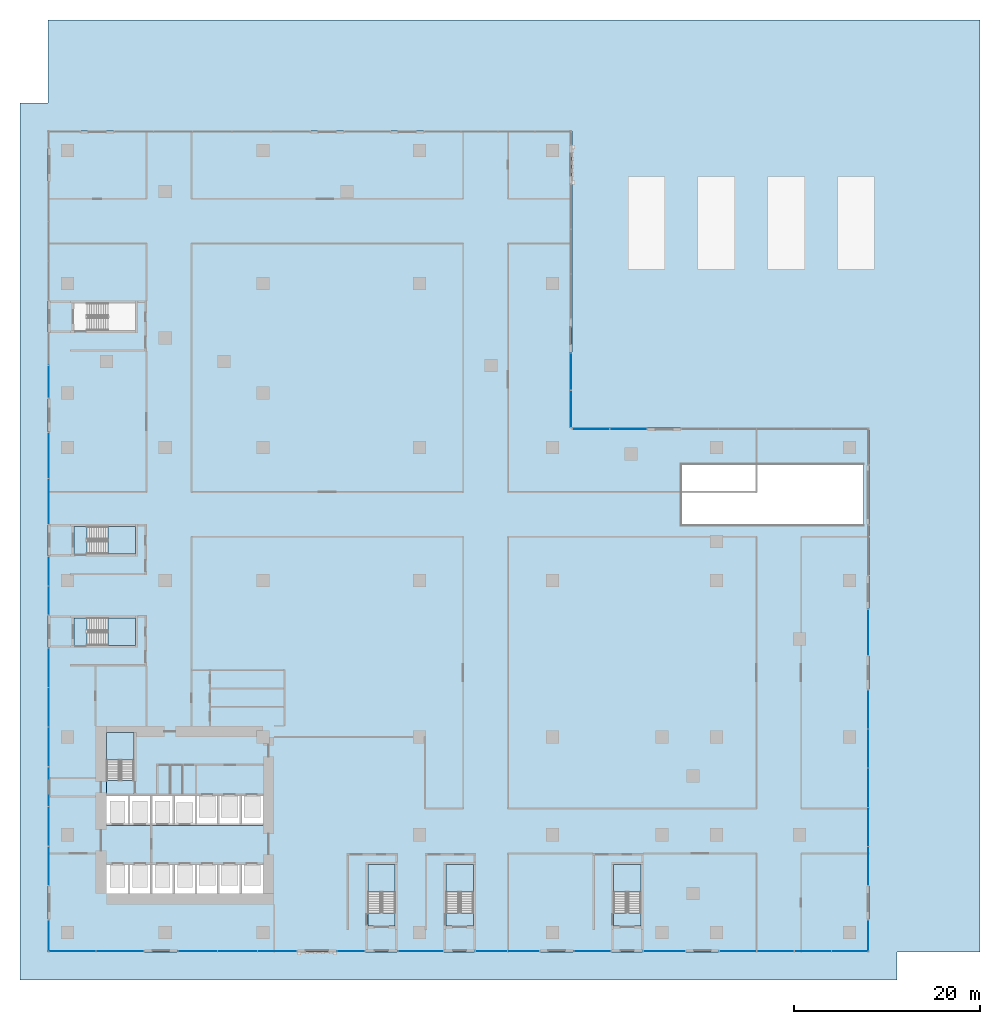
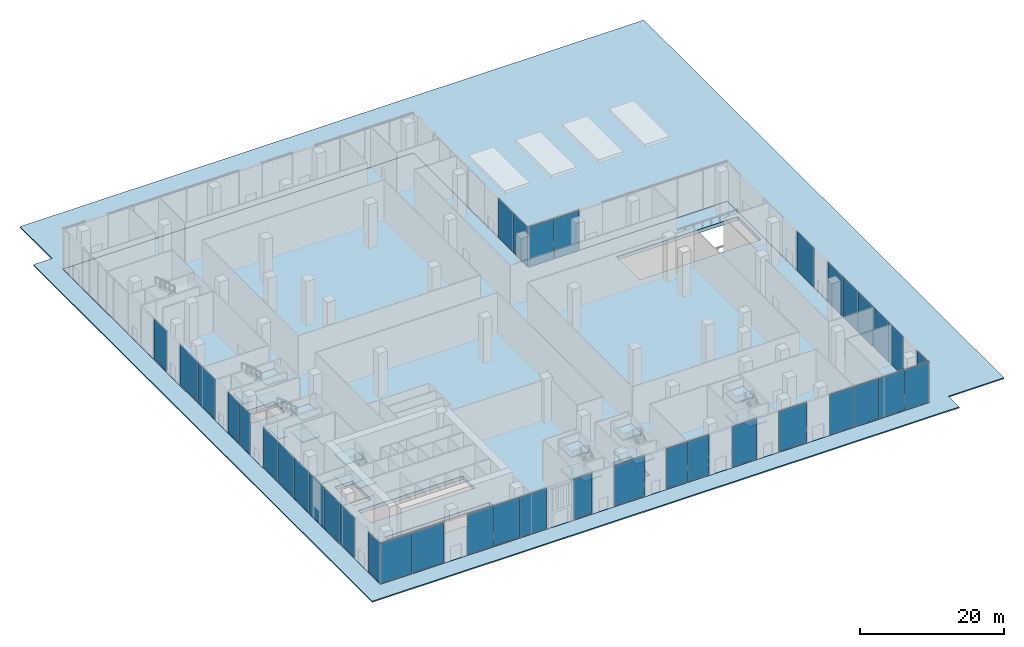
# One storey, part 11 of 26: 38 plates, 20 slabs, 24 elements without a shape of their own.
"""IFC4 building model written with IfcOpenShell, lengths in metres."""

from ifc_helpers import new_model, si_unit, direction, frame, origin, origin_2d, place, context, subcontext, project, spatial, polyline, rectangle, outline, extrude, source, transform, mapped, material, layer, layer_set, type_object, element, aggregate, save


model = new_model("IFC4")

# Units and contexts
model_context = context("Model", 3, precision=1e-05, world=origin(), true_north=direction((0.0, 1.0)))
body_context = subcontext(model_context, "Body", "Model", "MODEL_VIEW")
ifc_project = project(units=[si_unit("LENGTHUNIT", "METRE"), si_unit("AREAUNIT", "SQUARE_METRE"), si_unit("VOLUMEUNIT", "CUBIC_METRE"), si_unit("PLANEANGLEUNIT", "RADIAN"), si_unit("MASSUNIT", "GRAM", prefix="KILO")], contexts=[model_context])

# Site, building, storey
site_placement = place(None, origin())
site = spatial("IfcSite", under=ifc_project, at=site_placement, CompositionType="ELEMENT")
building_placement = place(site_placement, origin())
building = spatial("IfcBuilding", under=site, at=building_placement, Name="Aurelian Terraces", CompositionType="ELEMENT")
storey_placement = place(building_placement, origin())
storey = spatial("IfcBuildingStorey", under=building, at=storey_placement, Name="L00", CompositionType="ELEMENT", Elevation=0.0)

# Slabs
ifc_material_1 = material(Name="Concrete fc' 40 MPa", Category="concrete")
ifc_layer_1 = layer(ifc_material_1, 0.6)
ifc_layer_set_1 = layer_set([ifc_layer_1], Name="PT FLAT PLATE 600")
slab_type_1 = type_object("IfcSlabType", Name="PT FLAT PLATE 600", PredefinedType="FLOOR", material=ifc_layer_set_1)
slab_1_placement = place(storey_placement, frame((0.0, 0.0, -0.6)))
element("IfcSlab", 1, at=slab_1_placement, inside=storey, type_object=slab_type_1, Name="Floor slab P L00", PredefinedType="FLOOR", context=body_context, shape_type="SweptSolid", body=[
    extrude(outline(polyline([(86.1, -2.1), (54.18, -2.1), (-2.1, -2.1), (-2.1, 54.18), (-2.1, 86.1), (54.18, 86.1), (54.18, 54.18), (86.1, 54.18), (86.1, -2.1)]), holes=[polyline([(85.4895, 50.19), (66.01, 50.19), (66.01, 43.81), (85.4895, 43.81), (85.4895, 50.19)]), polyline([(40.66, 2.11), (43.59, 2.11), (43.59, 7.29), (40.66, 7.29), (40.66, 2.11)]), polyline([(4.21, 7.49), (4.21, 4.21), (20.99, 4.21), (20.99, 7.49), (4.21, 7.49)]), polyline([(4.21, 14.89), (4.21, 11.51), (20.99, 11.51), (20.99, 14.89), (4.21, 14.89)]), polyline([(7.29, 43.59), (2.11, 43.59), (2.11, 40.66), (7.29, 40.66), (7.29, 43.59)]), polyline([(4.21, 16.31), (7.14, 16.31), (7.14, 21.49), (4.21, 21.49), (4.21, 16.31)])]), origin(), (0.0, 0.0, 1.0), 0.6),
])
ifc_material_2 = material(Name="Granite paving", Category="masonry")
ifc_layer_2 = layer(ifc_material_2, 0.2)
ifc_layer_set_2 = layer_set([ifc_layer_2], Name="Paving 200")
slab_type_2 = type_object("IfcSlabType", Name="Paving 200", PredefinedType="NOTDEFINED", material=ifc_layer_set_2)
slab_2_placement = place(storey_placement, frame((0.0, 0.0, -0.2)))
element("IfcSlab", 2, at=slab_2_placement, inside=storey, type_object=slab_type_2, Name="Public garden plaza paving", PredefinedType="NOTDEFINED", context=body_context, shape_type="SweptSolid", body=[
    extrude(outline(polyline([(-5.1, 89.1), (-2.1, 89.1), (-2.1, 98.0), (98.0, 98.0), (98.0, -2.1), (89.1, -2.1), (89.1, -5.1), (-5.1, -5.1), (-5.1, 89.1)]), holes=[polyline([(54.18, 86.1), (-2.1, 86.1), (-2.1, 54.18), (-2.1, -2.1), (54.18, -2.1), (86.1, -2.1), (86.1, 54.18), (54.18, 54.18), (54.18, 86.1)])]), origin(), (0.0, 0.0, 1.0), 0.2),
])

# Curtain wall, plate
ifc_material_3 = material(Name="Anodised aluminium and clear glazing", Category="aluminium")
ifc_layer_3 = layer(ifc_material_3, 0.2)
ifc_layer_set_3 = layer_set([ifc_layer_3], Name="Podium shopfront curtain wall")
curtain_wall_type = type_object("IfcCurtainWallType", Name="Podium shopfront curtain wall", PredefinedType="NOTDEFINED", material=ifc_layer_set_3)
curtain_wall_1_placement = place(storey_placement, origin())
curtain_wall_1 = element("IfcCurtainWall", 3, at=curtain_wall_1_placement, inside=storey, type_object=curtain_wall_type, Name="Podium shopfront L00 F01.1", PredefinedType="NOTDEFINED")
ifc_material_4 = material(Name="Clear glazing", Category="glass")
ifc_layer_4 = layer(ifc_material_4, 0.028)
ifc_layer_set_4 = layer_set([ifc_layer_4], Name="Podium shopfront glazing panel")
plate_type = type_object("IfcPlateType", Name="Podium shopfront glazing panel", PredefinedType="CURTAIN_PANEL", material=ifc_layer_set_4)
plate_1_placement = place(storey_placement, frame((0.5025, -2.0, 0.06), z_axis=(0.0, 0.0, 1.0), x_axis=(1.0, 0.0, 0.0)))
plate_1 = element("IfcPlate", 4, at=plate_1_placement, type_object=plate_type, Name="CW1 panel 1.1", PredefinedType="CURTAIN_PANEL", context=body_context, shape_type="SweptSolid", body=[
    extrude(rectangle(XDim=5.085, YDim=0.028, at=origin_2d()), origin(), (0.0, 0.0, 1.0), 6.78),
])

# Curtain wall, plates
curtain_wall_2_placement = place(storey_placement, origin())
curtain_wall_2 = element("IfcCurtainWall", 5, at=curtain_wall_2_placement, inside=storey, type_object=curtain_wall_type, Name="Podium shopfront L00 F01.3", PredefinedType="NOTDEFINED")
plate_2_placement = place(storey_placement, frame((14.0067, -2.0, 0.06), z_axis=(0.0, 0.0, 1.0), x_axis=(1.0, 0.0, 0.0)))
plate_2 = element("IfcPlate", 6, at=plate_2_placement, type_object=plate_type, Name="CW1 panel 1.1", PredefinedType="CURTAIN_PANEL", context=body_context, shape_type="SweptSolid", body=[
    extrude(rectangle(XDim=4.1933, YDim=0.028, at=origin_2d()), origin(), (0.0, 0.0, 1.0), 6.78),
])
plate_3_placement = place(storey_placement, frame((18.275, -2.0, 0.06), z_axis=(0.0, 0.0, 1.0), x_axis=(1.0, 0.0, 0.0)))
plate_3 = element("IfcPlate", 7, at=plate_3_placement, type_object=plate_type, Name="CW1 panel 2.1", PredefinedType="CURTAIN_PANEL", context=body_context, shape_type="SweptSolid", body=[
    extrude(rectangle(XDim=4.2233, YDim=0.028, at=origin_2d()), origin(), (0.0, 0.0, 1.0), 6.78),
])

# Curtain wall, plate
curtain_wall_3_placement = place(storey_placement, origin())
curtain_wall_3 = element("IfcCurtainWall", 8, at=curtain_wall_3_placement, inside=storey, type_object=curtain_wall_type, Name="Podium shopfront L00 F01.5", PredefinedType="NOTDEFINED")
plate_4_placement = place(storey_placement, frame((30.45, -2.0, 0.06), z_axis=(0.0, 0.0, 1.0), x_axis=(1.0, 0.0, 0.0)))
plate_4 = element("IfcPlate", 9, at=plate_4_placement, type_object=plate_type, Name="CW1 panel 1.1", PredefinedType="CURTAIN_PANEL", context=body_context, shape_type="SweptSolid", body=[
    extrude(rectangle(XDim=2.98, YDim=0.028, at=origin_2d()), origin(), (0.0, 0.0, 1.0), 6.78),
])
aggregate(curtain_wall_3, [plate_4])

curtain_wall_4_placement = place(storey_placement, origin())
curtain_wall_4 = element("IfcCurtainWall", 10, at=curtain_wall_4_placement, inside=storey, type_object=curtain_wall_type, Name="Podium shopfront L00 F01.6", PredefinedType="NOTDEFINED")
plate_5_placement = place(storey_placement, frame((37.925, -2.0, 0.06), z_axis=(0.0, 0.0, 1.0), x_axis=(1.0, 0.0, 0.0)))
plate_5 = element("IfcPlate", 11, at=plate_5_placement, type_object=plate_type, Name="CW1 panel 1.1", PredefinedType="CURTAIN_PANEL", context=body_context, shape_type="SweptSolid", body=[
    extrude(rectangle(XDim=4.83, YDim=0.028, at=origin_2d()), origin(), (0.0, 0.0, 1.0), 6.78),
])
aggregate(curtain_wall_4, [plate_5])

curtain_wall_5_placement = place(storey_placement, origin())
curtain_wall_5 = element("IfcCurtainWall", 12, at=curtain_wall_5_placement, inside=storey, type_object=curtain_wall_type, Name="Podium shopfront L00 F01.7", PredefinedType="NOTDEFINED")
plate_6_placement = place(storey_placement, frame((45.5525, -2.0, 0.06), z_axis=(0.0, 0.0, 1.0), x_axis=(1.0, 0.0, 0.0)))
plate_6 = element("IfcPlate", 13, at=plate_6_placement, type_object=plate_type, Name="CW1 panel 1.1", PredefinedType="CURTAIN_PANEL", context=body_context, shape_type="SweptSolid", body=[
    extrude(rectangle(XDim=3.385, YDim=0.028, at=origin_2d()), origin(), (0.0, 0.0, 1.0), 6.78),
])

curtain_wall_6_placement = place(storey_placement, origin())
curtain_wall_6 = element("IfcCurtainWall", 14, at=curtain_wall_6_placement, inside=storey, type_object=curtain_wall_type, Name="Podium shopfront L00 F01.9", PredefinedType="NOTDEFINED")
plate_7_placement = place(storey_placement, frame((56.375, -2.0, 0.06), z_axis=(0.0, 0.0, 1.0), x_axis=(1.0, 0.0, 0.0)))
plate_7 = element("IfcPlate", 15, at=plate_7_placement, type_object=plate_type, Name="CW1 panel 1.1", PredefinedType="CURTAIN_PANEL", context=body_context, shape_type="SweptSolid", body=[
    extrude(rectangle(XDim=3.93, YDim=0.028, at=origin_2d()), origin(), (0.0, 0.0, 1.0), 6.78),
])
aggregate(curtain_wall_6, [plate_7])

curtain_wall_7_placement = place(storey_placement, origin())
curtain_wall_7 = element("IfcCurtainWall", 16, at=curtain_wall_7_placement, inside=storey, type_object=curtain_wall_type, Name="Podium shopfront L00 F01.10", PredefinedType="NOTDEFINED")
plate_8_placement = place(storey_placement, frame((64.125, -2.0, 0.06), z_axis=(0.0, 0.0, 1.0), x_axis=(1.0, 0.0, 0.0)))
plate_8 = element("IfcPlate", 17, at=plate_8_placement, type_object=plate_type, Name="CW1 panel 1.1", PredefinedType="CURTAIN_PANEL", context=body_context, shape_type="SweptSolid", body=[
    extrude(rectangle(XDim=4.43, YDim=0.028, at=origin_2d()), origin(), (0.0, 0.0, 1.0), 6.78),
])
aggregate(curtain_wall_7, [plate_8])

# Curtain wall, plates
curtain_wall_8_placement = place(storey_placement, origin())
curtain_wall_8 = element("IfcCurtainWall", 18, at=curtain_wall_8_placement, inside=storey, type_object=curtain_wall_type, Name="Podium shopfront L00 F01.12", PredefinedType="NOTDEFINED")
plate_9_placement = place(storey_placement, frame((72.0275, -2.0, 0.06), z_axis=(0.0, 0.0, 1.0), x_axis=(1.0, 0.0, 0.0)))
plate_9 = element("IfcPlate", 19, at=plate_9_placement, type_object=plate_type, Name="CW1 panel 1.1", PredefinedType="CURTAIN_PANEL", context=body_context, shape_type="SweptSolid", body=[
    extrude(rectangle(XDim=3.935, YDim=0.028, at=origin_2d()), origin(), (0.0, 0.0, 1.0), 6.78),
])
plate_10_placement = place(storey_placement, frame((76.0375, -2.0, 0.06), z_axis=(0.0, 0.0, 1.0), x_axis=(1.0, 0.0, 0.0)))
plate_10 = element("IfcPlate", 20, at=plate_10_placement, type_object=plate_type, Name="CW1 panel 2.1", PredefinedType="CURTAIN_PANEL", context=body_context, shape_type="SweptSolid", body=[
    extrude(rectangle(XDim=3.965, YDim=0.028, at=origin_2d()), origin(), (0.0, 0.0, 1.0), 6.78),
])

# Curtain wall, plate
curtain_wall_9_placement = place(storey_placement, origin())
curtain_wall_9 = element("IfcCurtainWall", 21, at=curtain_wall_9_placement, inside=storey, type_object=curtain_wall_type, Name="Podium shopfront L00 F02.1", PredefinedType="NOTDEFINED")
plate_11_placement = place(storey_placement, frame((86.0, -0.35, 0.06), z_axis=(0.0, 0.0, 1.0), x_axis=(0.0, 1.0, 0.0)))
plate_11 = element("IfcPlate", 22, at=plate_11_placement, type_object=plate_type, Name="CW1 panel 1.1", PredefinedType="CURTAIN_PANEL", context=body_context, shape_type="SweptSolid", body=[
    extrude(rectangle(XDim=3.38, YDim=0.028, at=origin_2d()), origin(), (0.0, 0.0, 1.0), 6.78),
])
aggregate(curtain_wall_9, [plate_11])

# Curtain wall, plates
curtain_wall_10_placement = place(storey_placement, origin())
curtain_wall_10 = element("IfcCurtainWall", 23, at=curtain_wall_10_placement, inside=storey, type_object=curtain_wall_type, Name="Podium shopfront L00 F02.3", PredefinedType="NOTDEFINED")
plate_12_placement = place(storey_placement, frame((86.0, 7.125, 0.06), z_axis=(0.0, 0.0, 1.0), x_axis=(0.0, 1.0, 0.0)))
plate_12 = element("IfcPlate", 24, at=plate_12_placement, type_object=plate_type, Name="CW1 panel 1.1", PredefinedType="CURTAIN_PANEL", context=body_context, shape_type="SweptSolid", body=[
    extrude(rectangle(XDim=4.13, YDim=0.028, at=origin_2d()), origin(), (0.0, 0.0, 1.0), 6.78),
])
plate_13_placement = place(storey_placement, frame((86.0, 11.33, 0.06), z_axis=(0.0, 0.0, 1.0), x_axis=(0.0, 1.0, 0.0)))
plate_13 = element("IfcPlate", 25, at=plate_13_placement, type_object=plate_type, Name="CW1 panel 2.1", PredefinedType="CURTAIN_PANEL", context=body_context, shape_type="SweptSolid", body=[
    extrude(rectangle(XDim=4.16, YDim=0.028, at=origin_2d()), origin(), (0.0, 0.0, 1.0), 6.78),
])

# Curtain wall, plate
curtain_wall_11_placement = place(storey_placement, origin())
curtain_wall_11 = element("IfcCurtainWall", 26, at=curtain_wall_11_placement, inside=storey, type_object=curtain_wall_type, Name="Podium shopfront L00 F02.5", PredefinedType="NOTDEFINED")
plate_14_placement = place(storey_placement, frame((86.0, 32.2, 0.06), z_axis=(0.0, 0.0, 1.0), x_axis=(0.0, 1.0, 0.0)))
plate_14 = element("IfcPlate", 27, at=plate_14_placement, type_object=plate_type, Name="CW1 panel 1.1", PredefinedType="CURTAIN_PANEL", context=body_context, shape_type="SweptSolid", body=[
    extrude(rectangle(XDim=4.88, YDim=0.028, at=origin_2d()), origin(), (0.0, 0.0, 1.0), 6.78),
])
aggregate(curtain_wall_11, [plate_14])

curtain_wall_12_placement = place(storey_placement, origin())
curtain_wall_12 = element("IfcCurtainWall", 28, at=curtain_wall_12_placement, inside=storey, type_object=curtain_wall_type, Name="Podium shopfront L00 F06.6", PredefinedType="NOTDEFINED")
plate_15_placement = place(storey_placement, frame((-2.0, 51.2475, 0.06), z_axis=(0.0, 0.0, 1.0), x_axis=(0.0, -1.0, 0.0)))
plate_15 = element("IfcPlate", 29, at=plate_15_placement, type_object=plate_type, Name="CW1 panel 1.1", PredefinedType="CURTAIN_PANEL", context=body_context, shape_type="SweptSolid", body=[
    extrude(rectangle(XDim=4.885, YDim=0.028, at=origin_2d()), origin(), (0.0, 0.0, 1.0), 6.78),
])

curtain_wall_13_placement = place(storey_placement, origin())
curtain_wall_13 = element("IfcCurtainWall", 30, at=curtain_wall_13_placement, inside=storey, type_object=curtain_wall_type, Name="Podium shopfront L00 F06.7", PredefinedType="NOTDEFINED")
plate_16_placement = place(storey_placement, frame((-2.0, 38.7975, 0.06), z_axis=(0.0, 0.0, 1.0), x_axis=(0.0, -1.0, 0.0)))
plate_16 = element("IfcPlate", 31, at=plate_16_placement, type_object=plate_type, Name="CW1 panel 1.1", PredefinedType="CURTAIN_PANEL", context=body_context, shape_type="SweptSolid", body=[
    extrude(rectangle(XDim=3.085, YDim=0.028, at=origin_2d()), origin(), (0.0, 0.0, 1.0), 6.78),
])

# Stair, slabs
stair_type = type_object("IfcStairType", Name="Stair 1400", PredefinedType="HALF_TURN_STAIR", material=ifc_material_1)
stair_1_placement = place(storey_placement, origin())
stair_1 = element("IfcStair", 32, at=stair_1_placement, inside=storey, type_object=stair_type, Name="L00 S1", PredefinedType="HALF_TURN_STAIR")
ifc_layer_5 = layer(ifc_material_1, 0.2)
ifc_layer_set_5 = layer_set([ifc_layer_5], Name="Stair landing 200")
slab_type_3 = type_object("IfcSlabType", Name="Stair landing 200", PredefinedType="LANDING", material=ifc_layer_set_5)
slab_3_placement = place(storey_placement, frame((0.0, 0.0, 1.675)))
slab_3 = element("IfcSlab", 33, at=slab_3_placement, type_object=slab_type_3, Name="S1 landing 1", PredefinedType="LANDING", context=body_context, shape_type="SweptSolid", body=[
    extrude(outline(polyline([(7.15, 18.55), (7.15, 21.5), (4.2, 21.5), (4.2, 18.55), (7.15, 18.55)])), origin(), (0.0, 0.0, 1.0), 0.2),
])
slab_4_placement = place(storey_placement, frame((0.0, 0.0, 3.55)))
slab_4 = element("IfcSlab", 34, at=slab_4_placement, type_object=slab_type_3, Name="S1 landing 2", PredefinedType="LANDING", context=body_context, shape_type="SweptSolid", body=[
    extrude(outline(polyline([(7.15, 14.9), (7.15, 16.3), (4.2, 16.3), (4.2, 14.9), (7.15, 14.9)])), origin(), (0.0, 0.0, 1.0), 0.2),
])

stair_2_placement = place(storey_placement, origin())
stair_2 = element("IfcStair", 35, at=stair_2_placement, inside=storey, type_object=stair_type, Name="L00 S2", PredefinedType="HALF_TURN_STAIR")
slab_5_placement = place(storey_placement, frame((0.0, 0.0, 1.675)))
slab_5 = element("IfcSlab", 36, at=slab_5_placement, type_object=slab_type_3, Name="S2 landing 1", PredefinedType="LANDING", context=body_context, shape_type="SweptSolid", body=[
    extrude(outline(polyline([(43.6, 4.35), (43.6, 7.3), (40.65, 7.3), (40.65, 4.35), (43.6, 4.35)])), origin(), (0.0, 0.0, 1.0), 0.2),
])
slab_6_placement = place(storey_placement, frame((0.0, 0.0, 3.55)))
slab_6 = element("IfcSlab", 37, at=slab_6_placement, type_object=slab_type_3, Name="S2 landing 2", PredefinedType="LANDING", context=body_context, shape_type="SweptSolid", body=[
    extrude(outline(polyline([(43.6, 0.7), (43.6, 2.1), (40.65, 2.1), (40.65, 0.7), (43.6, 0.7)])), origin(), (0.0, 0.0, 1.0), 0.2),
])

stair_3_placement = place(storey_placement, origin())
stair_3 = element("IfcStair", 38, at=stair_3_placement, inside=storey, type_object=stair_type, Name="L00 S3", PredefinedType="HALF_TURN_STAIR")
slab_7_placement = place(storey_placement, frame((0.0, 0.0, 1.675)))
slab_7 = element("IfcSlab", 39, at=slab_7_placement, type_object=slab_type_3, Name="S3 landing 1", PredefinedType="LANDING", context=body_context, shape_type="SweptSolid", body=[
    extrude(outline(polyline([(4.35, 40.65), (7.3, 40.65), (7.3, 43.6), (4.35, 43.6), (4.35, 40.65)])), origin(), (0.0, 0.0, 1.0), 0.2),
])
slab_8_placement = place(storey_placement, frame((0.0, 0.0, 3.55)))
slab_8 = element("IfcSlab", 40, at=slab_8_placement, type_object=slab_type_3, Name="S3 landing 2", PredefinedType="LANDING", context=body_context, shape_type="SweptSolid", body=[
    extrude(outline(polyline([(0.7, 40.65), (2.1, 40.65), (2.1, 43.6), (0.7, 43.6), (0.7, 40.65)])), origin(), (0.0, 0.0, 1.0), 0.2),
])

stair_4_placement = place(storey_placement, origin())
stair_4 = element("IfcStair", 41, at=stair_4_placement, inside=storey, type_object=stair_type, Name="L00 S4", PredefinedType="HALF_TURN_STAIR")
slab_9_placement = place(storey_placement, frame((0.0, 0.0, 1.675)))
slab_9 = element("IfcSlab", 42, at=slab_9_placement, type_object=slab_type_3, Name="S4 landing 1", PredefinedType="LANDING", context=body_context, shape_type="SweptSolid", body=[
    extrude(outline(polyline([(4.35, 30.85), (7.3, 30.85), (7.3, 33.8), (4.35, 33.8), (4.35, 30.85)])), origin(), (0.0, 0.0, 1.0), 0.2),
])
slab_10_placement = place(storey_placement, frame((0.0, 0.0, 3.55)))
slab_10 = element("IfcSlab", 43, at=slab_10_placement, type_object=slab_type_3, Name="S4 landing 2", PredefinedType="LANDING", context=body_context, shape_type="SweptSolid", body=[
    extrude(outline(polyline([(0.7, 30.85), (2.1, 30.85), (2.1, 33.8), (0.7, 33.8), (0.7, 30.85)])), origin(), (0.0, 0.0, 1.0), 0.2),
])

stair_5_placement = place(storey_placement, origin())
stair_5 = element("IfcStair", 44, at=stair_5_placement, inside=storey, type_object=stair_type, Name="L00 S6", PredefinedType="HALF_TURN_STAIR")
slab_11_placement = place(storey_placement, frame((0.0, 0.0, 1.675)))
slab_11 = element("IfcSlab", 45, at=slab_11_placement, type_object=slab_type_3, Name="S6 landing 1", PredefinedType="LANDING", context=body_context, shape_type="SweptSolid", body=[
    extrude(outline(polyline([(61.6, 4.35), (61.6, 7.3), (58.65, 7.3), (58.65, 4.35), (61.6, 4.35)])), origin(), (0.0, 0.0, 1.0), 0.2),
])
slab_12_placement = place(storey_placement, frame((0.0, 0.0, 3.55)))
slab_12 = element("IfcSlab", 46, at=slab_12_placement, type_object=slab_type_3, Name="S6 landing 2", PredefinedType="LANDING", context=body_context, shape_type="SweptSolid", body=[
    extrude(outline(polyline([(61.6, 0.7), (61.6, 2.1), (58.65, 2.1), (58.65, 0.7), (61.6, 0.7)])), origin(), (0.0, 0.0, 1.0), 0.2),
])

stair_6_placement = place(storey_placement, origin())
stair_6 = element("IfcStair", 47, at=stair_6_placement, inside=storey, type_object=stair_type, Name="L00 S7", PredefinedType="HALF_TURN_STAIR")
slab_13_placement = place(storey_placement, frame((0.0, 0.0, 1.675)))
slab_13 = element("IfcSlab", 48, at=slab_13_placement, type_object=slab_type_3, Name="S7 landing 1", PredefinedType="LANDING", context=body_context, shape_type="SweptSolid", body=[
    extrude(outline(polyline([(35.2, 4.35), (35.2, 7.3), (32.25, 7.3), (32.25, 4.35), (35.2, 4.35)])), origin(), (0.0, 0.0, 1.0), 0.2),
])
slab_14_placement = place(storey_placement, frame((0.0, 0.0, 3.55)))
slab_14 = element("IfcSlab", 49, at=slab_14_placement, type_object=slab_type_3, Name="S7 landing 2", PredefinedType="LANDING", context=body_context, shape_type="SweptSolid", body=[
    extrude(outline(polyline([(35.2, 0.7), (35.2, 2.1), (32.25, 2.1), (32.25, 0.7), (35.2, 0.7)])), origin(), (0.0, 0.0, 1.0), 0.2),
])

# Plate
shared_shape_1 = source(origin(), body_context, "Body", "SweptSolid", [
    extrude(rectangle(XDim=5.085, YDim=0.028, at=origin_2d()), origin(), (0.0, 0.0, 1.0), 6.78),
])
plate_17_placement = place(storey_placement, frame((5.6475, -2.0, 0.06), z_axis=(0.0, 0.0, 1.0), x_axis=(1.0, 0.0, 0.0)))
plate_17 = element("IfcPlate", 50, at=plate_17_placement, type_object=plate_type, Name="CW1 panel 2.1", PredefinedType="CURTAIN_PANEL", context=body_context, shape_type="MappedRepresentation", body=[
    mapped(shared_shape_1, transform((0.0, 0.0, 0.0), scale=1.0)),
])

aggregate(curtain_wall_1, [plate_1, plate_17])

shared_shape_2 = source(origin(), body_context, "Body", "SweptSolid", [
    extrude(rectangle(XDim=4.1933, YDim=0.028, at=origin_2d()), origin(), (0.0, 0.0, 1.0), 6.78),
])
plate_18_placement = place(storey_placement, frame((22.5433, -2.0, 0.06), z_axis=(0.0, 0.0, 1.0), x_axis=(1.0, 0.0, 0.0)))
plate_18 = element("IfcPlate", 51, at=plate_18_placement, type_object=plate_type, Name="CW1 panel 3.1", PredefinedType="CURTAIN_PANEL", context=body_context, shape_type="MappedRepresentation", body=[
    mapped(shared_shape_2, transform((0.0, 0.0, 0.0), scale=1.0)),
])

aggregate(curtain_wall_2, [plate_2, plate_3, plate_18])

shared_shape_3 = source(origin(), body_context, "Body", "SweptSolid", [
    extrude(rectangle(XDim=3.385, YDim=0.028, at=origin_2d()), origin(), (0.0, 0.0, 1.0), 6.78),
])
plate_19_placement = place(storey_placement, frame((48.9975, -2.0, 0.06), z_axis=(0.0, 0.0, 1.0), x_axis=(1.0, 0.0, 0.0)))
plate_19 = element("IfcPlate", 52, at=plate_19_placement, type_object=plate_type, Name="CW1 panel 2.1", PredefinedType="CURTAIN_PANEL", context=body_context, shape_type="MappedRepresentation", body=[
    mapped(shared_shape_3, transform((0.0, 0.0, 0.0), scale=1.0)),
])

aggregate(curtain_wall_5, [plate_6, plate_19])

shared_shape_4 = source(origin(), body_context, "Body", "SweptSolid", [
    extrude(rectangle(XDim=3.965, YDim=0.028, at=origin_2d()), origin(), (0.0, 0.0, 1.0), 6.78),
])
plate_20_placement = place(storey_placement, frame((80.0625, -2.0, 0.06), z_axis=(0.0, 0.0, 1.0), x_axis=(1.0, 0.0, 0.0)))
plate_20 = element("IfcPlate", 53, at=plate_20_placement, type_object=plate_type, Name="CW1 panel 3.1", PredefinedType="CURTAIN_PANEL", context=body_context, shape_type="MappedRepresentation", body=[
    mapped(shared_shape_4, transform((0.0, 0.0, 0.0), scale=1.0)),
])

# Curtain wall, plates
curtain_wall_14_placement = place(storey_placement, origin())
curtain_wall_14 = element("IfcCurtainWall", 54, at=curtain_wall_14_placement, inside=storey, type_object=curtain_wall_type, Name="Podium shopfront L00 F03.3", PredefinedType="NOTDEFINED")
plate_21_placement = place(storey_placement, frame((60.2475, 54.08, 0.06), z_axis=(0.0, 0.0, 1.0), x_axis=(-1.0, 0.0, 0.0)))
plate_21 = element("IfcPlate", 55, at=plate_21_placement, type_object=plate_type, Name="CW1 panel 1.1", PredefinedType="CURTAIN_PANEL", context=body_context, shape_type="MappedRepresentation", body=[
    mapped(shared_shape_4, transform((0.0, 0.0, 0.0), scale=1.0)),
])
plate_22_placement = place(storey_placement, frame((56.2225, 54.08, 0.06), z_axis=(0.0, 0.0, 1.0), x_axis=(-1.0, 0.0, 0.0)))
plate_22 = element("IfcPlate", 56, at=plate_22_placement, type_object=plate_type, Name="CW1 panel 2.1", PredefinedType="CURTAIN_PANEL", context=body_context, shape_type="MappedRepresentation", body=[
    mapped(shared_shape_4, transform((0.0, 0.0, 0.0), scale=1.0)),
])
aggregate(curtain_wall_14, [plate_21, plate_22])

curtain_wall_15_placement = place(storey_placement, origin())
curtain_wall_15 = element("IfcCurtainWall", 57, at=curtain_wall_15_placement, inside=storey, type_object=curtain_wall_type, Name="Podium shopfront L00 F04.1", PredefinedType="NOTDEFINED")
plate_23_placement = place(storey_placement, frame((54.08, 56.2225, 0.06), z_axis=(0.0, 0.0, 1.0), x_axis=(0.0, 1.0, 0.0)))
plate_23 = element("IfcPlate", 58, at=plate_23_placement, type_object=plate_type, Name="CW1 panel 1.1", PredefinedType="CURTAIN_PANEL", context=body_context, shape_type="MappedRepresentation", body=[
    mapped(shared_shape_4, transform((0.0, 0.0, 0.0), scale=1.0)),
])
plate_24_placement = place(storey_placement, frame((54.08, 60.2475, 0.06), z_axis=(0.0, 0.0, 1.0), x_axis=(0.0, 1.0, 0.0)))
plate_24 = element("IfcPlate", 59, at=plate_24_placement, type_object=plate_type, Name="CW1 panel 2.1", PredefinedType="CURTAIN_PANEL", context=body_context, shape_type="MappedRepresentation", body=[
    mapped(shared_shape_4, transform((0.0, 0.0, 0.0), scale=1.0)),
])
aggregate(curtain_wall_15, [plate_23, plate_24])

# Plate
shared_shape_5 = source(origin(), body_context, "Body", "SweptSolid", [
    extrude(rectangle(XDim=3.935, YDim=0.028, at=origin_2d()), origin(), (0.0, 0.0, 1.0), 6.78),
])
plate_25_placement = place(storey_placement, frame((84.0725, -2.0, 0.06), z_axis=(0.0, 0.0, 1.0), x_axis=(1.0, 0.0, 0.0)))
plate_25 = element("IfcPlate", 60, at=plate_25_placement, type_object=plate_type, Name="CW1 panel 4.1", PredefinedType="CURTAIN_PANEL", context=body_context, shape_type="MappedRepresentation", body=[
    mapped(shared_shape_5, transform((0.0, 0.0, 0.0), scale=1.0)),
])

aggregate(curtain_wall_8, [plate_9, plate_10, plate_20, plate_25])

shared_shape_6 = source(origin(), body_context, "Body", "SweptSolid", [
    extrude(rectangle(XDim=4.16, YDim=0.028, at=origin_2d()), origin(), (0.0, 0.0, 1.0), 6.78),
])
plate_26_placement = place(storey_placement, frame((86.0, 15.55, 0.06), z_axis=(0.0, 0.0, 1.0), x_axis=(0.0, 1.0, 0.0)))
plate_26 = element("IfcPlate", 61, at=plate_26_placement, type_object=plate_type, Name="CW1 panel 3.1", PredefinedType="CURTAIN_PANEL", context=body_context, shape_type="MappedRepresentation", body=[
    mapped(shared_shape_6, transform((0.0, 0.0, 0.0), scale=1.0)),
])

plate_27_placement = place(storey_placement, frame((86.0, 19.77, 0.06), z_axis=(0.0, 0.0, 1.0), x_axis=(0.0, 1.0, 0.0)))
plate_27 = element("IfcPlate", 62, at=plate_27_placement, type_object=plate_type, Name="CW1 panel 4.1", PredefinedType="CURTAIN_PANEL", context=body_context, shape_type="MappedRepresentation", body=[
    mapped(shared_shape_6, transform((0.0, 0.0, 0.0), scale=1.0)),
])

shared_shape_7 = source(origin(), body_context, "Body", "SweptSolid", [
    extrude(rectangle(XDim=4.13, YDim=0.028, at=origin_2d()), origin(), (0.0, 0.0, 1.0), 6.78),
])
plate_28_placement = place(storey_placement, frame((86.0, 23.975, 0.06), z_axis=(0.0, 0.0, 1.0), x_axis=(0.0, 1.0, 0.0)))
plate_28 = element("IfcPlate", 63, at=plate_28_placement, type_object=plate_type, Name="CW1 panel 5.1", PredefinedType="CURTAIN_PANEL", context=body_context, shape_type="MappedRepresentation", body=[
    mapped(shared_shape_7, transform((0.0, 0.0, 0.0), scale=1.0)),
])

aggregate(curtain_wall_10, [plate_12, plate_13, plate_26, plate_27, plate_28])

# Curtain wall, plate
curtain_wall_16_placement = place(storey_placement, origin())
curtain_wall_16 = element("IfcCurtainWall", 64, at=curtain_wall_16_placement, inside=storey, type_object=curtain_wall_type, Name="Podium shopfront L00 F06.10", PredefinedType="NOTDEFINED")
shared_shape_8 = source(origin(), body_context, "Body", "SweptSolid", [
    extrude(rectangle(XDim=3.38, YDim=0.028, at=origin_2d()), origin(), (0.0, 0.0, 1.0), 6.78),
])
plate_29_placement = place(storey_placement, frame((-2.0, -0.35, 0.06), z_axis=(0.0, 0.0, 1.0), x_axis=(0.0, -1.0, 0.0)))
plate_29 = element("IfcPlate", 65, at=plate_29_placement, type_object=plate_type, Name="CW1 panel 1.1", PredefinedType="CURTAIN_PANEL", context=body_context, shape_type="MappedRepresentation", body=[
    mapped(shared_shape_8, transform((0.0, 0.0, 0.0), scale=1.0)),
])
aggregate(curtain_wall_16, [plate_29])

# Curtain wall, plates
curtain_wall_17_placement = place(storey_placement, origin())
curtain_wall_17 = element("IfcCurtainWall", 66, at=curtain_wall_17_placement, inside=storey, type_object=curtain_wall_type, Name="Podium shopfront L00 F06.8", PredefinedType="NOTDEFINED")
shared_shape_9 = source(origin(), body_context, "Body", "SweptSolid", [
    extrude(rectangle(XDim=4.1767, YDim=0.028, at=origin_2d()), origin(), (0.0, 0.0, 1.0), 6.78),
])
plate_30_placement = place(storey_placement, frame((-2.0, 28.4517, 0.06), z_axis=(0.0, 0.0, 1.0), x_axis=(0.0, -1.0, 0.0)))
plate_30 = element("IfcPlate", 67, at=plate_30_placement, type_object=plate_type, Name="CW1 panel 1.1", PredefinedType="CURTAIN_PANEL", context=body_context, shape_type="MappedRepresentation", body=[
    mapped(shared_shape_9, transform((0.0, 0.0, 0.0), scale=1.0)),
])
plate_31_placement = place(storey_placement, frame((-2.0, 7.1483, 0.06), z_axis=(0.0, 0.0, 1.0), x_axis=(0.0, -1.0, 0.0)))
plate_31 = element("IfcPlate", 68, at=plate_31_placement, type_object=plate_type, Name="CW1 panel 6.1", PredefinedType="CURTAIN_PANEL", context=body_context, shape_type="MappedRepresentation", body=[
    mapped(shared_shape_9, transform((0.0, 0.0, 0.0), scale=1.0)),
])

# Curtain wall, plate
curtain_wall_18_placement = place(storey_placement, origin())
curtain_wall_18 = element("IfcCurtainWall", 69, at=curtain_wall_18_placement, inside=storey, type_object=curtain_wall_type, Name="Podium shopfront L00 F06.4", PredefinedType="NOTDEFINED")
shared_shape_10 = source(origin(), body_context, "Body", "SweptSolid", [
    extrude(rectangle(XDim=3.435, YDim=0.028, at=origin_2d()), origin(), (0.0, 0.0, 1.0), 6.78),
])
plate_32_placement = place(storey_placement, frame((-2.0, 59.1275, 0.06), z_axis=(0.0, 0.0, 1.0), x_axis=(0.0, -1.0, 0.0)))
plate_32 = element("IfcPlate", 70, at=plate_32_placement, type_object=plate_type, Name="CW1 panel 2.1", PredefinedType="CURTAIN_PANEL", context=body_context, shape_type="MappedRepresentation", body=[
    mapped(shared_shape_10, transform((0.0, 0.0, 0.0), scale=1.0)),
])
aggregate(curtain_wall_18, [plate_32])

# Plate
shared_shape_11 = source(origin(), body_context, "Body", "SweptSolid", [
    extrude(rectangle(XDim=4.885, YDim=0.028, at=origin_2d()), origin(), (0.0, 0.0, 1.0), 6.78),
])
plate_33_placement = place(storey_placement, frame((-2.0, 46.3025, 0.06), z_axis=(0.0, 0.0, 1.0), x_axis=(0.0, -1.0, 0.0)))
plate_33 = element("IfcPlate", 71, at=plate_33_placement, type_object=plate_type, Name="CW1 panel 2.1", PredefinedType="CURTAIN_PANEL", context=body_context, shape_type="MappedRepresentation", body=[
    mapped(shared_shape_11, transform((0.0, 0.0, 0.0), scale=1.0)),
])

aggregate(curtain_wall_12, [plate_15, plate_33])

shared_shape_12 = source(origin(), body_context, "Body", "SweptSolid", [
    extrude(rectangle(XDim=3.085, YDim=0.028, at=origin_2d()), origin(), (0.0, 0.0, 1.0), 6.78),
])
plate_34_placement = place(storey_placement, frame((-2.0, 35.6525, 0.06), z_axis=(0.0, 0.0, 1.0), x_axis=(0.0, -1.0, 0.0)))
plate_34 = element("IfcPlate", 72, at=plate_34_placement, type_object=plate_type, Name="CW1 panel 2.1", PredefinedType="CURTAIN_PANEL", context=body_context, shape_type="MappedRepresentation", body=[
    mapped(shared_shape_12, transform((0.0, 0.0, 0.0), scale=1.0)),
])

aggregate(curtain_wall_13, [plate_16, plate_34])

shared_shape_13 = source(origin(), body_context, "Body", "SweptSolid", [
    extrude(rectangle(XDim=4.2067, YDim=0.028, at=origin_2d()), origin(), (0.0, 0.0, 1.0), 6.78),
])
plate_35_placement = place(storey_placement, frame((-2.0, 24.2, 0.06), z_axis=(0.0, 0.0, 1.0), x_axis=(0.0, -1.0, 0.0)))
plate_35 = element("IfcPlate", 73, at=plate_35_placement, type_object=plate_type, Name="CW1 panel 2.1", PredefinedType="CURTAIN_PANEL", context=body_context, shape_type="MappedRepresentation", body=[
    mapped(shared_shape_13, transform((0.0, 0.0, 0.0), scale=1.0)),
])

plate_36_placement = place(storey_placement, frame((-2.0, 19.9333, 0.06), z_axis=(0.0, 0.0, 1.0), x_axis=(0.0, -1.0, 0.0)))
plate_36 = element("IfcPlate", 74, at=plate_36_placement, type_object=plate_type, Name="CW1 panel 3.1", PredefinedType="CURTAIN_PANEL", context=body_context, shape_type="MappedRepresentation", body=[
    mapped(shared_shape_13, transform((0.0, 0.0, 0.0), scale=1.0)),
])

plate_37_placement = place(storey_placement, frame((-2.0, 15.6667, 0.06), z_axis=(0.0, 0.0, 1.0), x_axis=(0.0, -1.0, 0.0)))
plate_37 = element("IfcPlate", 75, at=plate_37_placement, type_object=plate_type, Name="CW1 panel 4.1", PredefinedType="CURTAIN_PANEL", context=body_context, shape_type="MappedRepresentation", body=[
    mapped(shared_shape_13, transform((0.0, 0.0, 0.0), scale=1.0)),
])

plate_38_placement = place(storey_placement, frame((-2.0, 11.4, 0.06), z_axis=(0.0, 0.0, 1.0), x_axis=(0.0, -1.0, 0.0)))
plate_38 = element("IfcPlate", 76, at=plate_38_placement, type_object=plate_type, Name="CW1 panel 5.1", PredefinedType="CURTAIN_PANEL", context=body_context, shape_type="MappedRepresentation", body=[
    mapped(shared_shape_13, transform((0.0, 0.0, 0.0), scale=1.0)),
])

aggregate(curtain_wall_17, [plate_30, plate_35, plate_36, plate_37, plate_38, plate_31])

# Slab
shared_shape_14 = source(origin(), body_context, "Body", "SweptSolid", [
    extrude(outline(polyline([(7.15, 18.55), (7.15, 21.5), (4.2, 21.5), (4.2, 18.55), (7.15, 18.55)])), origin(), (0.0, 0.0, 1.0), 0.2),
])
slab_15_placement = place(storey_placement, frame((0.0, 0.0, 5.425)))
slab_15 = element("IfcSlab", 77, at=slab_15_placement, type_object=slab_type_3, Name="S1 landing 3", PredefinedType="LANDING", context=body_context, shape_type="MappedRepresentation", body=[
    mapped(shared_shape_14, transform((0.0, 0.0, 0.0), scale=1.0)),
])

aggregate(stair_1, [slab_3, slab_4, slab_15])

shared_shape_15 = source(origin(), body_context, "Body", "SweptSolid", [
    extrude(outline(polyline([(43.6, 4.35), (43.6, 7.3), (40.65, 7.3), (40.65, 4.35), (43.6, 4.35)])), origin(), (0.0, 0.0, 1.0), 0.2),
])
slab_16_placement = place(storey_placement, frame((0.0, 0.0, 5.425)))
slab_16 = element("IfcSlab", 78, at=slab_16_placement, type_object=slab_type_3, Name="S2 landing 3", PredefinedType="LANDING", context=body_context, shape_type="MappedRepresentation", body=[
    mapped(shared_shape_15, transform((0.0, 0.0, 0.0), scale=1.0)),
])

aggregate(stair_2, [slab_5, slab_6, slab_16])

shared_shape_16 = source(origin(), body_context, "Body", "SweptSolid", [
    extrude(outline(polyline([(4.35, 40.65), (7.3, 40.65), (7.3, 43.6), (4.35, 43.6), (4.35, 40.65)])), origin(), (0.0, 0.0, 1.0), 0.2),
])
slab_17_placement = place(storey_placement, frame((0.0, 0.0, 5.425)))
slab_17 = element("IfcSlab", 79, at=slab_17_placement, type_object=slab_type_3, Name="S3 landing 3", PredefinedType="LANDING", context=body_context, shape_type="MappedRepresentation", body=[
    mapped(shared_shape_16, transform((0.0, 0.0, 0.0), scale=1.0)),
])

aggregate(stair_3, [slab_7, slab_8, slab_17])

shared_shape_17 = source(origin(), body_context, "Body", "SweptSolid", [
    extrude(outline(polyline([(4.35, 30.85), (7.3, 30.85), (7.3, 33.8), (4.35, 33.8), (4.35, 30.85)])), origin(), (0.0, 0.0, 1.0), 0.2),
])
slab_18_placement = place(storey_placement, frame((0.0, 0.0, 5.425)))
slab_18 = element("IfcSlab", 80, at=slab_18_placement, type_object=slab_type_3, Name="S4 landing 3", PredefinedType="LANDING", context=body_context, shape_type="MappedRepresentation", body=[
    mapped(shared_shape_17, transform((0.0, 0.0, 0.0), scale=1.0)),
])

aggregate(stair_4, [slab_9, slab_10, slab_18])

shared_shape_18 = source(origin(), body_context, "Body", "SweptSolid", [
    extrude(outline(polyline([(61.6, 4.35), (61.6, 7.3), (58.65, 7.3), (58.65, 4.35), (61.6, 4.35)])), origin(), (0.0, 0.0, 1.0), 0.2),
])
slab_19_placement = place(storey_placement, frame((0.0, 0.0, 5.425)))
slab_19 = element("IfcSlab", 81, at=slab_19_placement, type_object=slab_type_3, Name="S6 landing 3", PredefinedType="LANDING", context=body_context, shape_type="MappedRepresentation", body=[
    mapped(shared_shape_18, transform((0.0, 0.0, 0.0), scale=1.0)),
])

aggregate(stair_5, [slab_11, slab_12, slab_19])

shared_shape_19 = source(origin(), body_context, "Body", "SweptSolid", [
    extrude(outline(polyline([(35.2, 4.35), (35.2, 7.3), (32.25, 7.3), (32.25, 4.35), (35.2, 4.35)])), origin(), (0.0, 0.0, 1.0), 0.2),
])
slab_20_placement = place(storey_placement, frame((0.0, 0.0, 5.425)))
slab_20 = element("IfcSlab", 82, at=slab_20_placement, type_object=slab_type_3, Name="S7 landing 3", PredefinedType="LANDING", context=body_context, shape_type="MappedRepresentation", body=[
    mapped(shared_shape_19, transform((0.0, 0.0, 0.0), scale=1.0)),
])

aggregate(stair_6, [slab_13, slab_14, slab_20])

save(model, "model.ifc")
